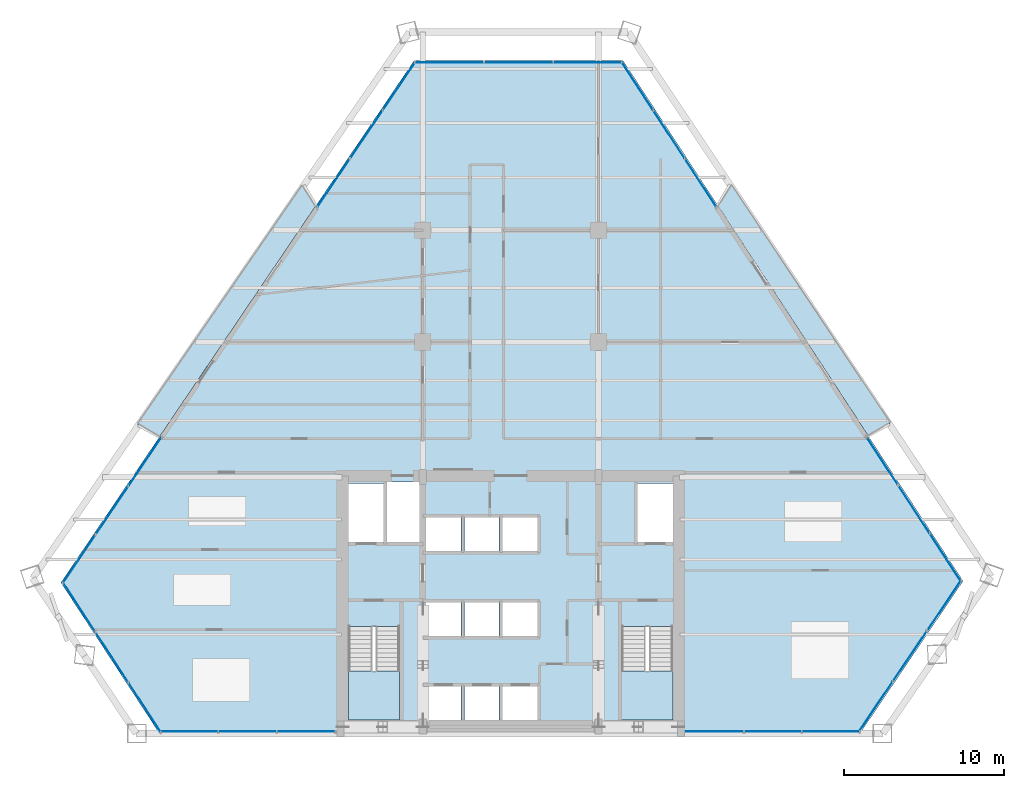
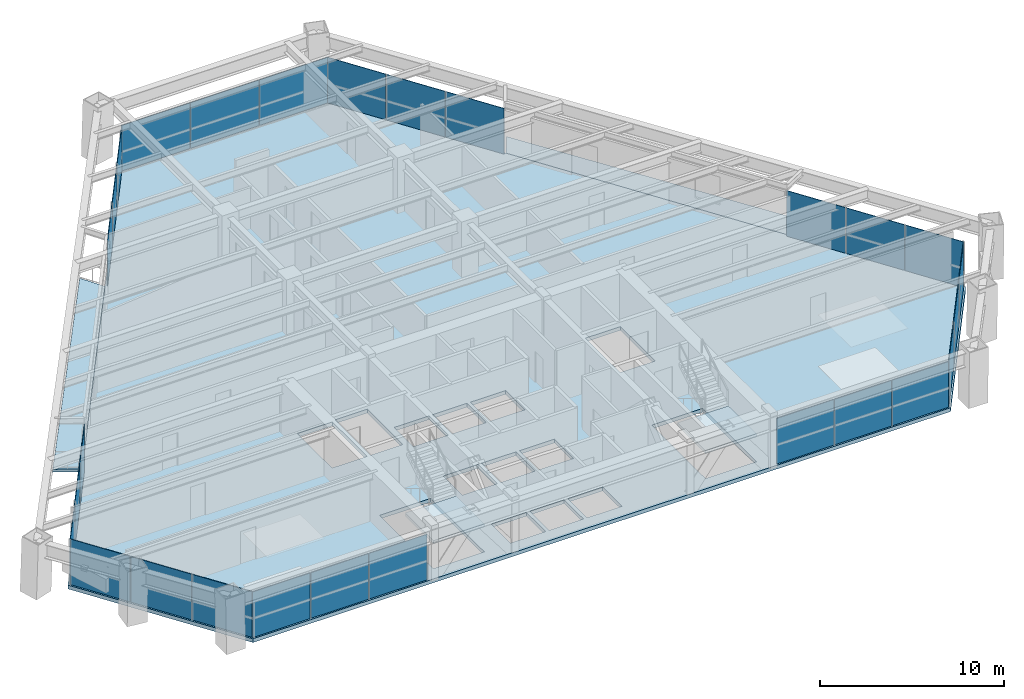
# One storey, part 9 of 14: 27 plates, 5 slabs, 11 elements without a shape of their own.
"""IFC4 building model written with IfcOpenShell, lengths in metres."""

from ifc_helpers import new_model, si_unit, direction, frame, origin, origin_2d, place, context, subcontext, project, spatial, polyline, rectangle, outline, extrude, source, transform, mapped, material, layer, layer_set, type_object, element, aggregate, save


model = new_model("IFC4")

# Units and contexts
model_context = context("Model", 3, precision=1e-05, world=origin(), true_north=direction((0.0, 1.0)))
body_context = subcontext(model_context, "Body", "Model", "MODEL_VIEW")
ifc_project = project(units=[si_unit("LENGTHUNIT", "METRE"), si_unit("AREAUNIT", "SQUARE_METRE"), si_unit("VOLUMEUNIT", "CUBIC_METRE"), si_unit("PLANEANGLEUNIT", "RADIAN"), si_unit("MASSUNIT", "GRAM", prefix="KILO")], contexts=[model_context])

# Site, building, storey
site_placement = place(None, origin())
site = spatial("IfcSite", under=ifc_project, at=site_placement, CompositionType="ELEMENT")
building_placement = place(site_placement, origin())
building = spatial("IfcBuilding", under=site, at=building_placement, Name="Varnakhor Terracotta Tower", CompositionType="ELEMENT")
storey_placement = place(building_placement, frame((0.0, 0.0, 80.300048828125)))
storey = spatial("IfcBuildingStorey", under=building, at=storey_placement, Name="L19", CompositionType="ELEMENT", Elevation=80.300048828125)

# Stair, slab
ifc_material_1 = material(Name="Concrete C40/50", Category="concrete")
stair_type = type_object("IfcStairType", Name="STR-CORE-OFFICE-1500", PredefinedType="HALF_TURN_STAIR", material=ifc_material_1)
stair_1_placement = place(storey_placement, origin())
stair_1 = element("IfcStair", 1, at=stair_1_placement, inside=storey, type_object=stair_type, Name="L19 Core Exit Stair ST-1", PredefinedType="HALF_TURN_STAIR")
ifc_layer_1 = layer(ifc_material_1, 0.179931640625, Name="Concrete C40/50")
ifc_layer_set_1 = layer_set([ifc_layer_1], Name="Concrete C40/50")
slab_type_1 = type_object("IfcSlabType", Name="SLB-LANDING-180", PredefinedType="LANDING", material=ifc_layer_set_1)
slab_1_placement = place(storey_placement, frame((0.0, 0.0, 1.64990234375)))
slab_1 = element("IfcSlab", 2, at=slab_1_placement, type_object=slab_type_1, Name="ST-1 landing 1", PredefinedType="LANDING", context=body_context, shape_type="SweptSolid", body=[
    extrude(outline(polyline([(-10.14990234375, 3.909912109375), (-10.14990234375, 0.85009765625), (-6.949951171875, 0.85009765625), (-6.949951171875, 3.909912109375), (-10.14990234375, 3.909912109375)])), origin(), (0.0, 0.0, 1.0), 0.199951171875),
])
aggregate(stair_1, [slab_1])

stair_2_placement = place(storey_placement, origin())
stair_2 = element("IfcStair", 3, at=stair_2_placement, inside=storey, type_object=stair_type, Name="L19 Core Exit Stair ST-2", PredefinedType="HALF_TURN_STAIR")
slab_2_placement = place(storey_placement, frame((0.0, 0.0, 1.64990234375)))
slab_2 = element("IfcSlab", 4, at=slab_2_placement, type_object=slab_type_1, Name="ST-2 landing 1", PredefinedType="LANDING", context=body_context, shape_type="SweptSolid", body=[
    extrude(outline(polyline([(6.949951171875, 3.909912109375), (6.949951171875, 0.85009765625), (10.14990234375, 0.85009765625), (10.14990234375, 3.909912109375), (6.949951171875, 3.909912109375)])), origin(), (0.0, 0.0, 1.0), 0.199951171875),
])
aggregate(stair_2, [slab_2])

# Slabs
ifc_layer_2 = layer(ifc_material_1, 0.195068359375, Name="Concrete C40/50")
ifc_layer_set_2 = layer_set([ifc_layer_2], Name="Concrete C40/50")
slab_type_2 = type_object("IfcSlabType", Name="SLB-LOGGIA-EXT-195", PredefinedType="FLOOR", material=ifc_layer_set_2)
slab_3_placement = place(storey_placement, frame((0.0, 0.0, -0.195068359375)))
element("IfcSlab", 5, at=slab_3_placement, inside=storey, type_object=slab_type_2, Name="L19 E Recessed Outdoor Loggia Slab", PredefinedType="FLOOR", context=body_context, shape_type="SweptSolid", body=[
    extrude(outline(polyline([(13.79052734375, 34.371337890625), (23.763671875, 19.439453125), (22.35400390625, 18.6669921875), (21.0703125, 20.632080078125), (12.988037109375, 33.005615234375), (13.79052734375, 34.371337890625)])), origin(), (0.0, 0.0, 1.0), 0.195068359375),
])
slab_4_placement = place(storey_placement, frame((0.0, 0.0, -0.195068359375)))
element("IfcSlab", 6, at=slab_4_placement, inside=storey, type_object=slab_type_2, Name="L19 W Recessed Outdoor Loggia Slab", PredefinedType="FLOOR", context=body_context, shape_type="SweptSolid", body=[
    extrude(outline(polyline([(-23.374755859375, 19.368896484375), (-13.035400390625, 34.34375), (-12.23193359375, 32.97900390625), (-20.6787109375, 20.49609375), (-21.96240234375, 18.59912109375), (-23.374755859375, 19.368896484375)])), origin(), (0.0, 0.0, 1.0), 0.195068359375),
])
ifc_layer_3 = layer(ifc_material_1, 0.25, Name="Concrete C40/50")
ifc_layer_set_3 = layer_set([ifc_layer_3], Name="Concrete C40/50")
slab_type_3 = type_object("IfcSlabType", Name="SLB-OFF-250", PredefinedType="FLOOR", material=ifc_layer_set_3)
slab_5_placement = place(storey_placement, frame((0.0, 0.0, -0.25)))
element("IfcSlab", 7, at=slab_5_placement, inside=storey, type_object=slab_type_3, Name="L19 Structural Floor Slab", PredefinedType="FLOOR", context=body_context, shape_type="SweptSolid", body=[
    extrude(outline(polyline([(-28.154296875, 9.4482421875), (-6.039794921875, 42.1298828125), (7.02783203125, 42.1298828125), (28.314208984375, 9.54248046875), (21.857177734375, 0.0), (-21.982666015625, 0.0), (-28.154296875, 9.4482421875)]), holes=[polyline([(-3.10009765625, 0.85009765625), (-3.10009765625, 2.949951171875), (-5.300048828125, 2.949951171875), (-5.300048828125, 0.85009765625), (-3.10009765625, 0.85009765625)]), polyline([(-2.8798828125, 0.85009765625), (-0.719970703125, 0.85009765625), (-0.719970703125, 2.949951171875), (-2.8798828125, 2.949951171875), (-2.8798828125, 0.85009765625)]), polyline([(-10.14990234375, 0.85009765625), (-6.949951171875, 0.85009765625), (-6.949951171875, 6.695068359375), (-10.14990234375, 6.695068359375), (-10.14990234375, 0.85009765625)]), polyline([(-5.300048828125, 6.10009765625), (-3.10009765625, 6.10009765625), (-3.10009765625, 8.199951171875), (-5.300048828125, 8.199951171875), (-5.300048828125, 6.10009765625)]), polyline([(-5.300048828125, 11.419921875), (-3.10009765625, 11.419921875), (-3.10009765625, 13.52001953125), (-5.300048828125, 13.52001953125), (-5.300048828125, 11.419921875)]), polyline([(-10.14990234375, 11.8798828125), (-7.949951171875, 11.8798828125), (-7.949951171875, 15.64990234375), (-10.14990234375, 15.64990234375), (-10.14990234375, 11.8798828125)]), polyline([(-7.72998046875, 11.8798828125), (-5.699951171875, 11.8798828125), (-5.699951171875, 15.75), (-7.72998046875, 15.75), (-7.72998046875, 11.8798828125)]), polyline([(1.699951171875, 0.85009765625), (1.699951171875, 2.949951171875), (-0.5, 2.949951171875), (-0.5, 0.85009765625), (1.699951171875, 0.85009765625)]), polyline([(6.949951171875, 0.85009765625), (10.14990234375, 0.85009765625), (10.14990234375, 6.695068359375), (6.949951171875, 6.695068359375), (6.949951171875, 0.85009765625)]), polyline([(-2.8798828125, 6.10009765625), (-0.719970703125, 6.10009765625), (-0.719970703125, 8.199951171875), (-2.8798828125, 8.199951171875), (-2.8798828125, 6.10009765625)]), polyline([(-0.5, 6.10009765625), (1.699951171875, 6.10009765625), (1.699951171875, 8.199951171875), (-0.5, 8.199951171875), (-0.5, 6.10009765625)]), polyline([(-2.8798828125, 11.419921875), (-0.719970703125, 11.419921875), (-0.719970703125, 13.52001953125), (-2.8798828125, 13.52001953125), (-2.8798828125, 11.419921875)]), polyline([(-0.5, 11.419921875), (1.699951171875, 11.419921875), (1.699951171875, 13.52001953125), (-0.5, 13.52001953125), (-0.5, 11.419921875)]), polyline([(7.949951171875, 11.8798828125), (10.14990234375, 11.8798828125), (10.14990234375, 15.64990234375), (7.949951171875, 15.64990234375), (7.949951171875, 11.8798828125)])]), origin(), (0.0, 0.0, 1.0), 0.25),
])

# Curtain wall, plates
ifc_material_2 = material(Name="Anodised Aluminium Curtain Wall System", Category="aluminium")
curtain_wall_type = type_object("IfcCurtainWallType", Name="CW-SYS-LOW-OFFICE", PredefinedType="NOTDEFINED", material=ifc_material_2)
curtain_wall_1_placement = place(storey_placement, origin())
curtain_wall_1 = element("IfcCurtainWall", 8, at=curtain_wall_1_placement, inside=storey, type_object=curtain_wall_type, Name="L19 W Facet Curtain Wall 1", PredefinedType="NOTDEFINED")
ifc_material_3 = material(Name="Solar-Control Low-E Insulated Glass Panel", Category="glass")
ifc_layer_4 = layer(ifc_material_3, 0.0380859375, Name="Solar-Control Low-E Insulated Glass Panel")
ifc_layer_set_4 = layer_set([ifc_layer_4], Name="Solar-Control Low-E Insulated Glass Panel")
plate_type = type_object("IfcPlateType", Name="CWP-02", PredefinedType="CURTAIN_PANEL", material=ifc_layer_set_4)
shared_shape_1 = source(origin(), body_context, "Body", "SweptSolid", [
    extrude(rectangle(XDim=3.623046875, YDim=0.035888671875, at=origin_2d()), origin(), (0.0, 0.0, 1.0), 3.030029296875),
])
plate_1_placement = place(storey_placement, frame((-27.01171875, 10.922607421875, 0.0), z_axis=(0.0, 0.0, 1.0), x_axis=(0.560422189664, 0.828207081189, 0.0)))
plate_1 = element("IfcPlate", 9, at=plate_1_placement, type_object=plate_type, Name="L19 W Facet Curtain Wall 1 Glazed Panel 1", PredefinedType="CURTAIN_PANEL", context=body_context, shape_type="MappedRepresentation", body=[
    mapped(shared_shape_1, transform((0.0, 0.0, 0.0), scale=1.0)),
])
plate_2_placement = place(storey_placement, frame((-24.958984375, 13.956298828125, 0.0), z_axis=(0.0, 0.0, 1.0), x_axis=(0.560422189664, 0.828207081189, 0.0)))
plate_2 = element("IfcPlate", 10, at=plate_2_placement, type_object=plate_type, Name="L19 W Facet Curtain Wall 1 Glazed Panel 2", PredefinedType="CURTAIN_PANEL", context=body_context, shape_type="MappedRepresentation", body=[
    mapped(shared_shape_1, transform((0.0, 0.0, 0.0), scale=1.0)),
])
plate_3_placement = place(storey_placement, frame((-22.90625, 16.989990234375, 0.0), z_axis=(0.0, 0.0, 1.0), x_axis=(0.560422189664, 0.828207081189, 0.0)))
plate_3 = element("IfcPlate", 11, at=plate_3_placement, type_object=plate_type, Name="L19 W Facet Curtain Wall 1 Glazed Panel 3", PredefinedType="CURTAIN_PANEL", context=body_context, shape_type="MappedRepresentation", body=[
    mapped(shared_shape_1, transform((0.0, 0.0, 0.0), scale=1.0)),
])
aggregate(curtain_wall_1, [plate_1, plate_2, plate_3])

curtain_wall_2_placement = place(storey_placement, origin())
curtain_wall_2 = element("IfcCurtainWall", 12, at=curtain_wall_2_placement, inside=storey, type_object=curtain_wall_type, Name="L19 W Facet Curtain Wall 2", PredefinedType="NOTDEFINED")
plate_4_placement = place(storey_placement, frame((-11.08935546875, 34.45361328125, 0.0), z_axis=(0.0, 0.0, 1.0), x_axis=(0.560422189664, 0.828207081189, 0.0)))
plate_4 = element("IfcPlate", 13, at=plate_4_placement, type_object=plate_type, Name="L19 W Facet Curtain Wall 2 Glazed Panel 1", PredefinedType="CURTAIN_PANEL", context=body_context, shape_type="MappedRepresentation", body=[
    mapped(shared_shape_1, transform((0.0, 0.0, 0.0), scale=1.0)),
])
plate_5_placement = place(storey_placement, frame((-9.03662109375, 37.4873046875, 0.0), z_axis=(0.0, 0.0, 1.0), x_axis=(0.560422189664, 0.828207081189, 0.0)))
plate_5 = element("IfcPlate", 14, at=plate_5_placement, type_object=plate_type, Name="L19 W Facet Curtain Wall 2 Glazed Panel 2", PredefinedType="CURTAIN_PANEL", context=body_context, shape_type="MappedRepresentation", body=[
    mapped(shared_shape_1, transform((0.0, 0.0, 0.0), scale=1.0)),
])
plate_6_placement = place(storey_placement, frame((-6.983642578125, 40.52099609375, 0.0), z_axis=(0.0, 0.0, 1.0), x_axis=(0.560422189664, 0.828207081189, 0.0)))
plate_6 = element("IfcPlate", 15, at=plate_6_placement, type_object=plate_type, Name="L19 W Facet Curtain Wall 2 Glazed Panel 3", PredefinedType="CURTAIN_PANEL", context=body_context, shape_type="MappedRepresentation", body=[
    mapped(shared_shape_1, transform((0.0, 0.0, 0.0), scale=1.0)),
])
aggregate(curtain_wall_2, [plate_4, plate_5, plate_6])

curtain_wall_3_placement = place(storey_placement, origin())
curtain_wall_3 = element("IfcCurtainWall", 16, at=curtain_wall_3_placement, inside=storey, type_object=curtain_wall_type, Name="L19 Facet Curtain Wall 2", PredefinedType="NOTDEFINED")
shared_shape_2 = source(origin(), body_context, "Body", "SweptSolid", [
    extrude(rectangle(XDim=4.2958984375, YDim=0.035888671875, at=origin_2d()), origin(), (0.0, 0.0, 1.0), 3.030029296875),
])
plate_7_placement = place(storey_placement, frame((-3.841796875, 42.010009765625, 0.0), z_axis=(0.0, 0.0, 1.0), x_axis=(1.0, 0.0, 0.0)))
plate_7 = element("IfcPlate", 17, at=plate_7_placement, type_object=plate_type, Name="L19 Facet Curtain Wall 2 Glazed Panel 1", PredefinedType="CURTAIN_PANEL", context=body_context, shape_type="MappedRepresentation", body=[
    mapped(shared_shape_2, transform((0.0, 0.0, 0.0), scale=1.0)),
])
plate_8_placement = place(storey_placement, frame((0.493896484375, 42.010009765625, 0.0), z_axis=(0.0, 0.0, 1.0), x_axis=(1.0, 0.0, 0.0)))
plate_8 = element("IfcPlate", 18, at=plate_8_placement, type_object=plate_type, Name="L19 Facet Curtain Wall 2 Glazed Panel 2", PredefinedType="CURTAIN_PANEL", context=body_context, shape_type="MappedRepresentation", body=[
    mapped(shared_shape_2, transform((0.0, 0.0, 0.0), scale=1.0)),
])
plate_9_placement = place(storey_placement, frame((4.829833984375, 42.010009765625, 0.0), z_axis=(0.0, 0.0, 1.0), x_axis=(1.0, 0.0, 0.0)))
plate_9 = element("IfcPlate", 19, at=plate_9_placement, type_object=plate_type, Name="L19 Facet Curtain Wall 2 Glazed Panel 3", PredefinedType="CURTAIN_PANEL", context=body_context, shape_type="MappedRepresentation", body=[
    mapped(shared_shape_2, transform((0.0, 0.0, 0.0), scale=1.0)),
])
aggregate(curtain_wall_3, [plate_7, plate_8, plate_9])

curtain_wall_4_placement = place(storey_placement, origin())
curtain_wall_4 = element("IfcCurtainWall", 20, at=curtain_wall_4_placement, inside=storey, type_object=curtain_wall_type, Name="L19 E Facet Curtain Wall 1", PredefinedType="NOTDEFINED")
shared_shape_3 = source(origin(), body_context, "Body", "SweptSolid", [
    extrude(rectangle(XDim=3.572998046875, YDim=0.035888671875, at=origin_2d()), origin(), (0.0, 0.0, 1.0), 3.030029296875),
])
plate_10_placement = place(storey_placement, frame((7.931640625, 40.52685546875, 0.0), z_axis=(0.0, 0.0, 1.0), x_axis=(0.546876637602, -0.837213200592, 0.0)))
plate_10 = element("IfcPlate", 21, at=plate_10_placement, type_object=plate_type, Name="L19 E Facet Curtain Wall 1 Glazed Panel 1", PredefinedType="CURTAIN_PANEL", context=body_context, shape_type="MappedRepresentation", body=[
    mapped(shared_shape_3, transform((0.0, 0.0, 0.0), scale=1.0)),
])
plate_11_placement = place(storey_placement, frame((11.88330078125, 34.477294921875, 0.0), z_axis=(0.0, 0.0, 1.0), x_axis=(0.546876637602, -0.837213200592, 0.0)))
plate_11 = element("IfcPlate", 22, at=plate_11_placement, type_object=plate_type, Name="L19 E Facet Curtain Wall 1 Glazed Panel 3", PredefinedType="CURTAIN_PANEL", context=body_context, shape_type="MappedRepresentation", body=[
    mapped(shared_shape_3, transform((0.0, 0.0, 0.0), scale=1.0)),
])

# Curtain wall, plate
curtain_wall_5_placement = place(storey_placement, origin())
curtain_wall_5 = element("IfcCurtainWall", 23, at=curtain_wall_5_placement, inside=storey, type_object=curtain_wall_type, Name="L19 E Facet Curtain Wall 2", PredefinedType="NOTDEFINED")
plate_12_placement = place(storey_placement, frame((25.233642578125, 14.039306640625, 0.0), z_axis=(0.0, 0.0, 1.0), x_axis=(0.546876637602, -0.837213200592, 0.0)))
plate_12 = element("IfcPlate", 24, at=plate_12_placement, type_object=plate_type, Name="L19 E Facet Curtain Wall 2 Glazed Panel 2", PredefinedType="CURTAIN_PANEL", context=body_context, shape_type="MappedRepresentation", body=[
    mapped(shared_shape_3, transform((0.0, 0.0, 0.0), scale=1.0)),
])

# Plate
shared_shape_4 = source(origin(), body_context, "Body", "SweptSolid", [
    extrude(rectangle(XDim=3.57275390625, YDim=0.035888671875, at=origin_2d()), origin(), (0.0, 0.0, 1.0), 3.030029296875),
])
plate_13_placement = place(storey_placement, frame((9.907470703125, 37.502197265625, 0.0), z_axis=(0.0, 0.0, 1.0), x_axis=(0.546876637602, -0.837213200592, 0.0)))
plate_13 = element("IfcPlate", 25, at=plate_13_placement, type_object=plate_type, Name="L19 E Facet Curtain Wall 1 Glazed Panel 2", PredefinedType="CURTAIN_PANEL", context=body_context, shape_type="MappedRepresentation", body=[
    mapped(shared_shape_4, transform((0.0, 0.0, 0.0), scale=1.0)),
])

aggregate(curtain_wall_4, [plate_10, plate_13, plate_11])

plate_14_placement = place(storey_placement, frame((23.2578125, 17.06396484375, 0.0), z_axis=(0.0, 0.0, 1.0), x_axis=(0.546876637602, -0.837213200592, 0.0)))
plate_14 = element("IfcPlate", 26, at=plate_14_placement, type_object=plate_type, Name="L19 E Facet Curtain Wall 2 Glazed Panel 1", PredefinedType="CURTAIN_PANEL", context=body_context, shape_type="MappedRepresentation", body=[
    mapped(shared_shape_4, transform((0.0, 0.0, 0.0), scale=1.0)),
])

plate_15_placement = place(storey_placement, frame((27.20947265625, 11.014404296875, 0.0), z_axis=(0.0, 0.0, 1.0), x_axis=(0.546876637602, -0.837213200592, 0.0)))
plate_15 = element("IfcPlate", 27, at=plate_15_placement, type_object=plate_type, Name="L19 E Facet Curtain Wall 2 Glazed Panel 3", PredefinedType="CURTAIN_PANEL", context=body_context, shape_type="MappedRepresentation", body=[
    mapped(shared_shape_4, transform((0.0, 0.0, 0.0), scale=1.0)),
])

aggregate(curtain_wall_5, [plate_14, plate_12, plate_15])

# Curtain wall, plates
curtain_wall_6_placement = place(storey_placement, origin())
curtain_wall_6 = element("IfcCurtainWall", 28, at=curtain_wall_6_placement, inside=storey, type_object=curtain_wall_type, Name="L19 Facet Curtain Wall 4", PredefinedType="NOTDEFINED")
shared_shape_5 = source(origin(), body_context, "Body", "SweptSolid", [
    extrude(rectangle(XDim=3.78076171875, YDim=0.035888671875, at=origin_2d()), origin(), (0.0, 0.0, 1.0), 3.030029296875),
])
plate_16_placement = place(storey_placement, frame((27.12744140625, 8.0029296875, 0.0), z_axis=(0.0, 0.0, 1.0), x_axis=(-0.560422189664, -0.828207081189, 0.0)))
plate_16 = element("IfcPlate", 29, at=plate_16_placement, type_object=plate_type, Name="L19 Facet Curtain Wall 4 Glazed Panel 1", PredefinedType="CURTAIN_PANEL", context=body_context, shape_type="MappedRepresentation", body=[
    mapped(shared_shape_5, transform((0.0, 0.0, 0.0), scale=1.0)),
])
plate_17_placement = place(storey_placement, frame((22.84521484375, 1.67431640625, 0.0), z_axis=(0.0, 0.0, 1.0), x_axis=(-0.560422189664, -0.828207081189, 0.0)))
plate_17 = element("IfcPlate", 30, at=plate_17_placement, type_object=plate_type, Name="L19 Facet Curtain Wall 4 Glazed Panel 3", PredefinedType="CURTAIN_PANEL", context=body_context, shape_type="MappedRepresentation", body=[
    mapped(shared_shape_5, transform((0.0, 0.0, 0.0), scale=1.0)),
])
shared_shape_6 = source(origin(), body_context, "Body", "SweptSolid", [
    extrude(rectangle(XDim=3.780517578125, YDim=0.035888671875, at=origin_2d()), origin(), (0.0, 0.0, 1.0), 3.030029296875),
])
plate_18_placement = place(storey_placement, frame((24.986328125, 4.83837890625, 0.0), z_axis=(0.0, 0.0, 1.0), x_axis=(-0.560422189664, -0.828207081189, 0.0)))
plate_18 = element("IfcPlate", 31, at=plate_18_placement, type_object=plate_type, Name="L19 Facet Curtain Wall 4 Glazed Panel 2", PredefinedType="CURTAIN_PANEL", context=body_context, shape_type="MappedRepresentation", body=[
    mapped(shared_shape_6, transform((0.0, 0.0, 0.0), scale=1.0)),
])
aggregate(curtain_wall_6, [plate_16, plate_18, plate_17])

curtain_wall_7_placement = place(storey_placement, origin())
curtain_wall_7 = element("IfcCurtainWall", 32, at=curtain_wall_7_placement, inside=storey, type_object=curtain_wall_type, Name="L19 South Wing Curtain Wall SSE", PredefinedType="NOTDEFINED")
shared_shape_7 = source(origin(), body_context, "Body", "SweptSolid", [
    extrude(rectangle(XDim=3.585693359375, YDim=0.035888671875, at=origin_2d()), origin(), (0.0, 0.0, 1.0), 3.030029296875),
])
plate_19_placement = place(storey_placement, frame((20.0341796875, 0.1201171875, 0.0), z_axis=(0.0, 0.0, 1.0), x_axis=(-1.0, 0.0, 0.0)))
plate_19 = element("IfcPlate", 33, at=plate_19_placement, type_object=plate_type, Name="L19 South Wing Curtain Wall SSE Glazed Panel 1", PredefinedType="CURTAIN_PANEL", context=body_context, shape_type="MappedRepresentation", body=[
    mapped(shared_shape_7, transform((0.0, 0.0, 0.0), scale=1.0)),
])
plate_20_placement = place(storey_placement, frame((16.40869140625, 0.1201171875, 0.0), z_axis=(0.0, 0.0, 1.0), x_axis=(-1.0, 0.0, 0.0)))
plate_20 = element("IfcPlate", 34, at=plate_20_placement, type_object=plate_type, Name="L19 South Wing Curtain Wall SSE Glazed Panel 2", PredefinedType="CURTAIN_PANEL", context=body_context, shape_type="MappedRepresentation", body=[
    mapped(shared_shape_7, transform((0.0, 0.0, 0.0), scale=1.0)),
])
plate_21_placement = place(storey_placement, frame((12.78271484375, 0.1201171875, 0.0), z_axis=(0.0, 0.0, 1.0), x_axis=(-1.0, 0.0, 0.0)))
plate_21 = element("IfcPlate", 35, at=plate_21_placement, type_object=plate_type, Name="L19 South Wing Curtain Wall SSE Glazed Panel 3", PredefinedType="CURTAIN_PANEL", context=body_context, shape_type="MappedRepresentation", body=[
    mapped(shared_shape_7, transform((0.0, 0.0, 0.0), scale=1.0)),
])
aggregate(curtain_wall_7, [plate_19, plate_20, plate_21])

curtain_wall_8_placement = place(storey_placement, origin())
curtain_wall_8 = element("IfcCurtainWall", 36, at=curtain_wall_8_placement, inside=storey, type_object=curtain_wall_type, Name="L19 South Wing Curtain Wall SSW", PredefinedType="NOTDEFINED")
shared_shape_8 = source(origin(), body_context, "Body", "SweptSolid", [
    extrude(rectangle(XDim=3.627685546875, YDim=0.035888671875, at=origin_2d()), origin(), (0.0, 0.0, 1.0), 3.030029296875),
])
plate_22_placement = place(storey_placement, frame((-12.8037109375, 0.1201171875, 0.0), z_axis=(0.0, 0.0, 1.0), x_axis=(-1.0, 0.0, 0.0)))
plate_22 = element("IfcPlate", 37, at=plate_22_placement, type_object=plate_type, Name="L19 South Wing Curtain Wall SSW Glazed Panel 1", PredefinedType="CURTAIN_PANEL", context=body_context, shape_type="MappedRepresentation", body=[
    mapped(shared_shape_8, transform((0.0, 0.0, 0.0), scale=1.0)),
])
plate_23_placement = place(storey_placement, frame((-20.138916015625, 0.1201171875, 0.0), z_axis=(0.0, 0.0, 1.0), x_axis=(-1.0, 0.0, 0.0)))
plate_23 = element("IfcPlate", 38, at=plate_23_placement, type_object=plate_type, Name="L19 South Wing Curtain Wall SSW Glazed Panel 3", PredefinedType="CURTAIN_PANEL", context=body_context, shape_type="MappedRepresentation", body=[
    mapped(shared_shape_8, transform((0.0, 0.0, 0.0), scale=1.0)),
])
shared_shape_9 = source(origin(), body_context, "Body", "SweptSolid", [
    extrude(rectangle(XDim=3.62744140625, YDim=0.035888671875, at=origin_2d()), origin(), (0.0, 0.0, 1.0), 3.030029296875),
])
plate_24_placement = place(storey_placement, frame((-16.471435546875, 0.1201171875, 0.0), z_axis=(0.0, 0.0, 1.0), x_axis=(-1.0, 0.0, 0.0)))
plate_24 = element("IfcPlate", 39, at=plate_24_placement, type_object=plate_type, Name="L19 South Wing Curtain Wall SSW Glazed Panel 2", PredefinedType="CURTAIN_PANEL", context=body_context, shape_type="MappedRepresentation", body=[
    mapped(shared_shape_9, transform((0.0, 0.0, 0.0), scale=1.0)),
])
aggregate(curtain_wall_8, [plate_22, plate_24, plate_23])

curtain_wall_9_placement = place(storey_placement, origin())
curtain_wall_9 = element("IfcCurtainWall", 40, at=curtain_wall_9_placement, inside=storey, type_object=curtain_wall_type, Name="L19 Facet Curtain Wall 6", PredefinedType="NOTDEFINED")
shared_shape_10 = source(origin(), body_context, "Body", "SweptSolid", [
    extrude(rectangle(XDim=3.701904296875, YDim=0.035888671875, at=origin_2d()), origin(), (0.0, 0.0, 1.0), 3.030029296875),
])
plate_25_placement = place(storey_placement, frame((-22.921630859375, 1.656982421875, 0.0), z_axis=(0.0, 0.0, 1.0), x_axis=(-0.546876637602, 0.837213200592, 0.0)))
plate_25 = element("IfcPlate", 41, at=plate_25_placement, type_object=plate_type, Name="L19 Facet Curtain Wall 6 Glazed Panel 1", PredefinedType="CURTAIN_PANEL", context=body_context, shape_type="MappedRepresentation", body=[
    mapped(shared_shape_10, transform((0.0, 0.0, 0.0), scale=1.0)),
])
plate_26_placement = place(storey_placement, frame((-24.968017578125, 4.789794921875, 0.0), z_axis=(0.0, 0.0, 1.0), x_axis=(-0.546876637602, 0.837213200592, 0.0)))
plate_26 = element("IfcPlate", 42, at=plate_26_placement, type_object=plate_type, Name="L19 Facet Curtain Wall 6 Glazed Panel 2", PredefinedType="CURTAIN_PANEL", context=body_context, shape_type="MappedRepresentation", body=[
    mapped(shared_shape_10, transform((0.0, 0.0, 0.0), scale=1.0)),
])
shared_shape_11 = source(origin(), body_context, "Body", "SweptSolid", [
    extrude(rectangle(XDim=3.70166015625, YDim=0.035888671875, at=origin_2d()), origin(), (0.0, 0.0, 1.0), 3.030029296875),
])
plate_27_placement = place(storey_placement, frame((-27.014404296875, 7.92236328125, 0.0), z_axis=(0.0, 0.0, 1.0), x_axis=(-0.546876637602, 0.837213200592, 0.0)))
plate_27 = element("IfcPlate", 43, at=plate_27_placement, type_object=plate_type, Name="L19 Facet Curtain Wall 6 Glazed Panel 3", PredefinedType="CURTAIN_PANEL", context=body_context, shape_type="MappedRepresentation", body=[
    mapped(shared_shape_11, transform((0.0, 0.0, 0.0), scale=1.0)),
])
aggregate(curtain_wall_9, [plate_25, plate_26, plate_27])

save(model, "model.ifc")
